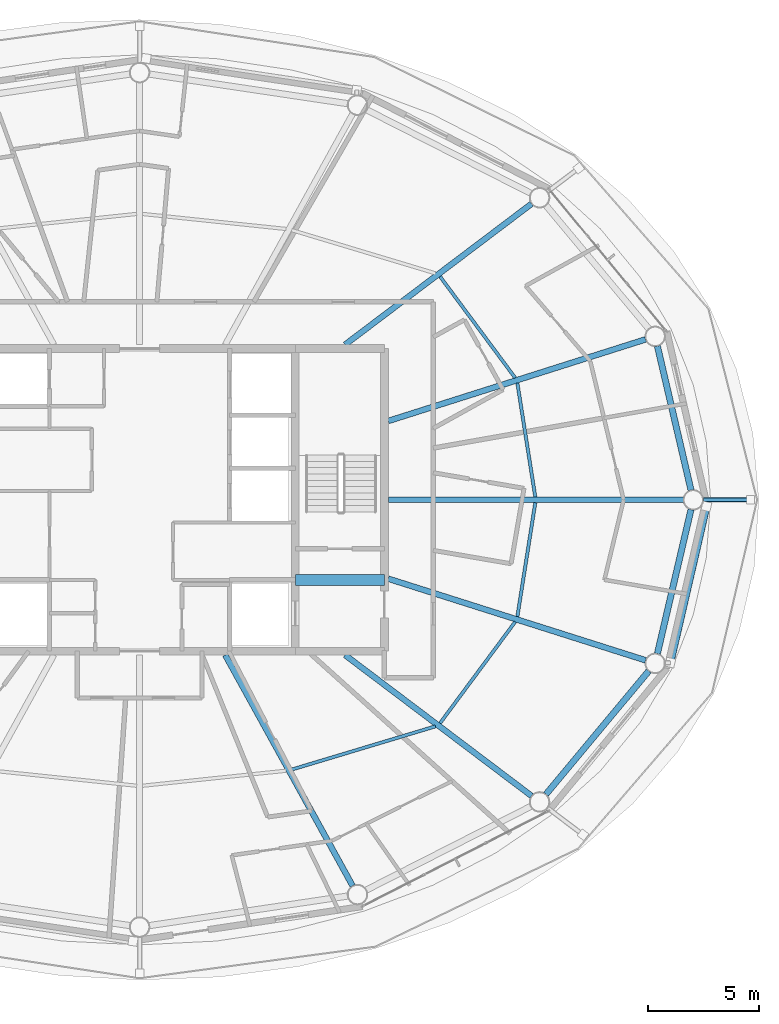
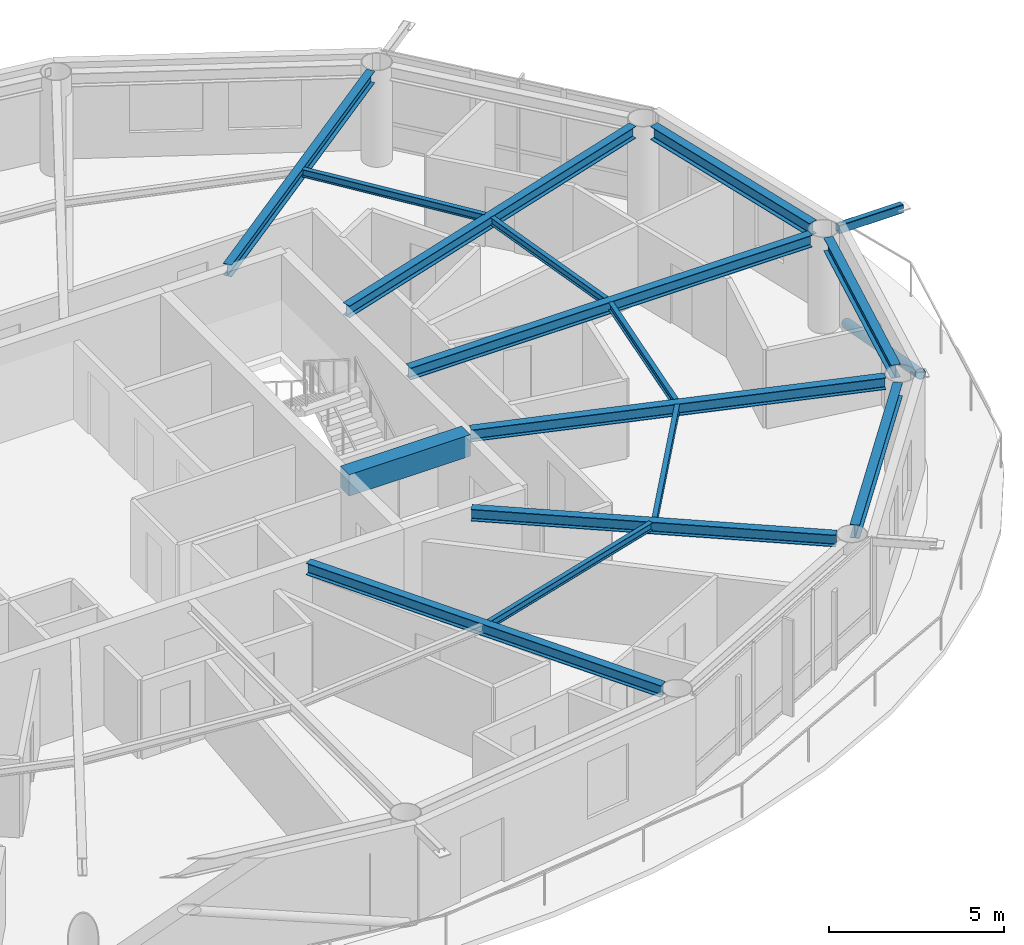
# One storey, part 6 of 22: 15 beams, 2 members.
"""IFC4 building model written with IfcOpenShell, lengths in metres."""

from ifc_helpers import new_model, si_unit, direction, frame, origin, origin_2d, place, context, subcontext, project, spatial, rectangle, hollow_rectangle, hollow_circle, i_section, extrude, material, material_profile, profile_set, type_object, element, save


model = new_model("IFC4")

# Units and contexts
model_context = context("Model", 3, precision=1e-05, world=origin(), true_north=direction((0.0, 1.0)))
body_context = subcontext(model_context, "Body", "Model", "MODEL_VIEW")
ifc_project = project(units=[si_unit("LENGTHUNIT", "METRE"), si_unit("AREAUNIT", "SQUARE_METRE"), si_unit("VOLUMEUNIT", "CUBIC_METRE"), si_unit("PLANEANGLEUNIT", "RADIAN"), si_unit("MASSUNIT", "GRAM", prefix="KILO")], contexts=[model_context])

# Site, building, storey
site_placement = place(None, origin())
site = spatial("IfcSite", under=ifc_project, at=site_placement, CompositionType="ELEMENT")
building_placement = place(site_placement, origin())
building = spatial("IfcBuilding", under=site, at=building_placement, Name="Sarneth Arch Tower", CompositionType="ELEMENT")
storey_placement = place(building_placement, frame((0.0, 0.0, 298.199951171875)))
storey = spatial("IfcBuildingStorey", under=building, at=storey_placement, Name="L77", CompositionType="ELEMENT", Elevation=298.199951171875)

# Beams
ifc_material_1 = material(Name="Steel S355", Category="steel")
ifc_material_profile_1 = material_profile(ifc_material_1, i_section(OverallWidth=0.14794921875, OverallDepth=0.26611328125, WebThickness=0.007568359375, FlangeThickness=0.012939453125, FilletRadius=0.012939453125, at=origin_2d()), Name="W250x44.8")
ifc_profile_set_1 = profile_set([ifc_material_profile_1], Name="Steel S355")
beam_type_1 = type_object("IfcBeamType", Name="BM-JOIST-250", PredefinedType="JOIST", material=ifc_profile_set_1)
beam_1_placement = place(storey_placement, frame((65.783935546875, 42.12841796875, 3.237060546875), z_axis=(-0.155556266572, 0.987827033407, 0.0), x_axis=(-0.987827033407, -0.155556266572, 0.0)))
element("IfcBeam", 1, at=beam_1_placement, inside=storey, type_object=beam_type_1, Name="L77 Secondary floor joist 01", PredefinedType="JOIST", context=body_context, shape_type="SweptSolid", body=[
    extrude(i_section(OverallWidth=0.14794921875, OverallDepth=0.26611328125, WebThickness=0.007568359375, FlangeThickness=0.012939453125, FilletRadius=0.012939453125, at=origin_2d()), origin(), (0.0, 0.0, 1.0), 5.183837890625),
])
beam_2_placement = place(storey_placement, frame((64.880126953125, 47.482177734375, 3.237060546875), z_axis=(-0.595712519616, 0.803197730309, 0.0), x_axis=(-0.803197730309, -0.595712519616, 0.0)))
element("IfcBeam", 2, at=beam_2_placement, inside=storey, type_object=beam_type_1, Name="L77 Secondary floor joist 02", PredefinedType="JOIST", context=body_context, shape_type="SweptSolid", body=[
    extrude(i_section(OverallWidth=0.14794921875, OverallDepth=0.26611328125, WebThickness=0.007568359375, FlangeThickness=0.012939453125, FilletRadius=0.012939453125, at=origin_2d()), origin(), (0.0, 0.0, 1.0), 5.669189453125),
])
beam_3_placement = place(storey_placement, frame((54.836181640625, 29.877685546875, 3.237060546875), z_axis=(0.95760703602, 0.288077705776, 0.0), x_axis=(-0.288077705776, 0.95760703602, 0.0)))
element("IfcBeam", 3, at=beam_3_placement, inside=storey, type_object=beam_type_1, Name="L77 Secondary floor joist 14", PredefinedType="JOIST", context=body_context, shape_type="SweptSolid", body=[
    extrude(i_section(OverallWidth=0.14794921875, OverallDepth=0.26611328125, WebThickness=0.007568359375, FlangeThickness=0.012939453125, FilletRadius=0.012939453125, at=origin_2d()), origin(), (0.0, 0.0, 1.0), 6.7509765625),
])
beam_4_placement = place(storey_placement, frame((61.5029296875, 31.96435546875, 3.237060546875), z_axis=(0.595712519616, 0.803197730309, 0.0), x_axis=(-0.803197730309, 0.595712519616, 0.0)))
element("IfcBeam", 4, at=beam_4_placement, inside=storey, type_object=beam_type_1, Name="L77 Secondary floor joist 15", PredefinedType="JOIST", context=body_context, shape_type="SweptSolid", body=[
    extrude(i_section(OverallWidth=0.14794921875, OverallDepth=0.26611328125, WebThickness=0.007568359375, FlangeThickness=0.012939453125, FilletRadius=0.012939453125, at=origin_2d()), origin(), (0.0, 0.0, 1.0), 5.669189453125),
])
beam_5_placement = place(storey_placement, frame((64.9775390625, 36.750732421875, 3.237060546875), z_axis=(0.155556266572, 0.987827033407, 0.0), x_axis=(-0.987827033407, 0.155556266572, 0.0)))
element("IfcBeam", 5, at=beam_5_placement, inside=storey, type_object=beam_type_1, Name="L77 Secondary floor joist 16", PredefinedType="JOIST", context=body_context, shape_type="SweptSolid", body=[
    extrude(i_section(OverallWidth=0.14794921875, OverallDepth=0.26611328125, WebThickness=0.007568359375, FlangeThickness=0.012939453125, FilletRadius=0.012939453125, at=origin_2d()), origin(), (0.0, 0.0, 1.0), 5.183837890625),
])
ifc_material_2 = material(Name="Concrete C50/60", Category="concrete")
ifc_material_profile_2 = material_profile(ifc_material_2, rectangle(XDim=0.5, YDim=0.75, at=origin_2d()), Name="RC-500x750")
ifc_profile_set_2 = profile_set([ifc_material_profile_2], Name="Concrete C50/60")
beam_type_2 = type_object("IfcBeamType", Name="BM-LINTEL-RC", PredefinedType="LINTEL", material=ifc_profile_set_2)
beam_6_placement = place(storey_placement, frame((55.0, 38.39990234375, 2.9951171875), z_axis=(1.0, 0.0, 0.0), x_axis=(0.0, 1.0, 0.0)))
element("IfcBeam", 6, at=beam_6_placement, inside=storey, type_object=beam_type_2, Name="L77 Core coupling lintel E", PredefinedType="LINTEL", context=body_context, shape_type="SweptSolid", body=[
    extrude(rectangle(XDim=0.5, YDim=0.75, at=origin_2d()), origin(), (0.0, 0.0, 1.0), 4.0),
])
ifc_material_3 = material(Name="Steel S355", Category="steel")
ifc_material_profile_3 = material_profile(ifc_material_3, i_section(OverallWidth=0.260009765625, OverallDepth=0.4150390625, WebThickness=0.010009765625, FlangeThickness=0.016845703125, FilletRadius=0.01611328125, at=origin_2d()), Name="W410x100")
ifc_profile_set_3 = profile_set([ifc_material_profile_3], Name="Steel S355")
beam_type_3 = type_object("IfcBeamType", Name="BM-RAD-410A", PredefinedType="BEAM", material=ifc_profile_set_3)
beam_7_placement = place(storey_placement, frame((59.175048828125, 42.0, 3.16259765625), z_axis=(1.0, 0.0, 0.0), x_axis=(0.0, 1.0, 0.0)))
element("IfcBeam", 7, at=beam_7_placement, inside=storey, type_object=beam_type_3, Name="L77 Radial floor girder 01", PredefinedType="BEAM", context=body_context, shape_type="SweptSolid", body=[
    extrude(i_section(OverallWidth=0.260009765625, OverallDepth=0.4150390625, WebThickness=0.010009765625, FlangeThickness=0.016845703125, FilletRadius=0.01611328125, at=origin_2d()), origin(), (0.0, 0.0, 1.0), 13.258056640625),
])
beam_8_placement = place(storey_placement, frame((59.175048828125, 45.5439453125, 3.16259765625), z_axis=(0.95321762769, 0.302284889237, 0.0), x_axis=(-0.302284889237, 0.95321762769, 0.0)))
element("IfcBeam", 8, at=beam_8_placement, inside=storey, type_object=beam_type_3, Name="L77 Radial floor girder 02", PredefinedType="BEAM", context=body_context, shape_type="SweptSolid", body=[
    extrude(i_section(OverallWidth=0.260009765625, OverallDepth=0.4150390625, WebThickness=0.010009765625, FlangeThickness=0.016845703125, FilletRadius=0.01611328125, at=origin_2d()), origin(), (0.0, 0.0, 1.0), 12.132568359375),
])
beam_9_placement = place(storey_placement, frame((57.23486328125, 48.97509765625, 3.16259765625), z_axis=(0.797981595352, 0.602681817777, 0.0), x_axis=(-0.602681817777, 0.797981595352, 0.0)))
element("IfcBeam", 9, at=beam_9_placement, inside=storey, type_object=beam_type_3, Name="L77 Radial floor girder 03", PredefinedType="BEAM", context=body_context, shape_type="SweptSolid", body=[
    extrude(i_section(OverallWidth=0.260009765625, OverallDepth=0.4150390625, WebThickness=0.010009765625, FlangeThickness=0.016845703125, FilletRadius=0.01611328125, at=origin_2d()), origin(), (0.0, 0.0, 1.0), 10.503173828125),
])
beam_10_placement = place(storey_placement, frame((51.849853515625, 35.02490234375, 3.16259765625), z_axis=(0.483229367873, -0.875493790969, 0.0), x_axis=(0.875493790969, 0.483229367873, 0.0)))
element("IfcBeam", 10, at=beam_10_placement, inside=storey, type_object=beam_type_3, Name="L77 Radial floor girder 14", PredefinedType="BEAM", context=body_context, shape_type="SweptSolid", body=[
    extrude(i_section(OverallWidth=0.260009765625, OverallDepth=0.4150390625, WebThickness=0.010009765625, FlangeThickness=0.016845703125, FilletRadius=0.01611328125, at=origin_2d()), origin(), (0.0, 0.0, 1.0), 11.843994140625),
])
beam_11_placement = place(storey_placement, frame((57.23486328125, 35.02490234375, 3.16259765625), z_axis=(0.797981595352, -0.602681817777, 0.0), x_axis=(0.602681817777, 0.797981595352, 0.0)))
element("IfcBeam", 11, at=beam_11_placement, inside=storey, type_object=beam_type_3, Name="L77 Radial floor girder 15", PredefinedType="BEAM", context=body_context, shape_type="SweptSolid", body=[
    extrude(i_section(OverallWidth=0.260009765625, OverallDepth=0.4150390625, WebThickness=0.010009765625, FlangeThickness=0.016845703125, FilletRadius=0.01611328125, at=origin_2d()), origin(), (0.0, 0.0, 1.0), 10.503173828125),
])
beam_12_placement = place(storey_placement, frame((59.175048828125, 38.4560546875, 3.16259765625), z_axis=(0.95321762769, -0.302284889237, 0.0), x_axis=(0.302284889237, 0.95321762769, 0.0)))
element("IfcBeam", 12, at=beam_12_placement, inside=storey, type_object=beam_type_3, Name="L77 Radial floor girder 16", PredefinedType="BEAM", context=body_context, shape_type="SweptSolid", body=[
    extrude(i_section(OverallWidth=0.260009765625, OverallDepth=0.4150390625, WebThickness=0.010009765625, FlangeThickness=0.016845703125, FilletRadius=0.01611328125, at=origin_2d()), origin(), (0.0, 0.0, 1.0), 12.132568359375),
])
ifc_material_4 = material(Name="Steel S355", Category="steel")
ifc_material_profile_4 = material_profile(ifc_material_4, i_section(OverallWidth=0.280029296875, OverallDepth=0.462890625, WebThickness=0.0107421875, FlangeThickness=0.017333984375, FilletRadius=0.01806640625, at=origin_2d()), Name="W460x113")
ifc_profile_set_4 = profile_set([ifc_material_profile_4], Name="Steel S355")
beam_type_4 = type_object("IfcBeamType", Name="BM-RAD-460A", PredefinedType="BEAM", material=ifc_profile_set_4)
beam_13_placement = place(storey_placement, frame((72.781005859375, 42.438232421875, 3.138427734375), z_axis=(-0.227247037844, 0.973837144389, 0.0), x_axis=(-0.973837144389, -0.227247037844, 0.0)))
element("IfcBeam", 13, at=beam_13_placement, inside=storey, type_object=beam_type_4, Name="L77 Perimeter spandrel beam 01", PredefinedType="BEAM", context=body_context, shape_type="SweptSolid", body=[
    extrude(i_section(OverallWidth=0.280029296875, OverallDepth=0.462890625, WebThickness=0.0107421875, FlangeThickness=0.017333984375, FilletRadius=0.01806640625, at=origin_2d()), origin(), (0.0, 0.0, 1.0), 6.644775390625),
])
beam_14_placement = place(storey_placement, frame((66.263427734375, 28.769287109375, 3.138427734375), z_axis=(0.640390876881, 0.768049168222, 0.0), x_axis=(-0.768049168222, 0.640390876881, 0.0)))
element("IfcBeam", 14, at=beam_14_placement, inside=storey, type_object=beam_type_4, Name="L77 Perimeter spandrel beam 15", PredefinedType="BEAM", context=body_context, shape_type="SweptSolid", body=[
    extrude(i_section(OverallWidth=0.280029296875, OverallDepth=0.462890625, WebThickness=0.0107421875, FlangeThickness=0.017333984375, FilletRadius=0.01806640625, at=origin_2d()), origin(), (0.0, 0.0, 1.0), 7.2099609375),
])
beam_15_placement = place(storey_placement, frame((71.27099609375, 35.0908203125, 3.138427734375), z_axis=(0.227247037844, 0.973837144389, 0.0), x_axis=(-0.973837144389, 0.227247037844, 0.0)))
element("IfcBeam", 15, at=beam_15_placement, inside=storey, type_object=beam_type_4, Name="L77 Perimeter spandrel beam 16", PredefinedType="BEAM", context=body_context, shape_type="SweptSolid", body=[
    extrude(i_section(OverallWidth=0.280029296875, OverallDepth=0.462890625, WebThickness=0.0107421875, FlangeThickness=0.017333984375, FilletRadius=0.01806640625, at=origin_2d()), origin(), (0.0, 0.0, 1.0), 6.644775390625),
])

# Members
ifc_material_5 = material(Name="Steel S355", Category="steel")
ifc_material_profile_5 = material_profile(ifc_material_5, hollow_rectangle(XDim=0.199951171875, YDim=0.300048828125, WallThickness=0.012451171875, InnerFilletRadius=0.018798828125, OuterFilletRadius=0.03125, at=origin_2d()), Name="RHS300x200x12.5")
ifc_profile_set_5 = profile_set([ifc_material_profile_5], Name="Steel S355")
member_type_1 = type_object("IfcMemberType", Name="MEM-CANT-STRUT", PredefinedType="STRUT", material=ifc_profile_set_5)
member_1_placement = place(storey_placement, frame((73.333251953125, 42.0, 3.2099609375), z_axis=(1.0, 0.0, 0.0), x_axis=(0.0, 1.0, 0.0)))
element("IfcMember", 16, at=member_1_placement, inside=storey, type_object=member_type_1, Name="L77 Balcony cantilever bracket 01", PredefinedType="STRUT", context=body_context, shape_type="SweptSolid", body=[
    extrude(hollow_rectangle(XDim=0.199951171875, YDim=0.300048828125, WallThickness=0.012451171875, InnerFilletRadius=0.018798828125, OuterFilletRadius=0.03125, at=origin_2d()), origin(), (0.0, 0.0, 1.0), 2.1220703125),
])
ifc_material_6 = material(Name="Steel S355", Category="steel")
ifc_material_profile_6 = material_profile(ifc_material_6, hollow_circle(Radius=0.162109375, WallThickness=0.012451171875, at=origin_2d()), Name="CHS324x12.5")
ifc_profile_set_6 = profile_set([ifc_material_profile_6], Name="Steel S355")
member_type_2 = type_object("IfcMemberType", Name="MEM-DIAG-BR3", PredefinedType="BRACE", material=ifc_profile_set_6)
member_2_placement = place(storey_placement, frame((73.4765625, 41.707763671875, 0.02001953125), z_axis=(-0.207343373373, -0.896265487877, 0.392067469651), x_axis=(0.974268900284, -0.225388797281, 0.0)))
element("IfcMember", 17, at=member_2_placement, inside=storey, type_object=member_type_2, Name="L77 Perimeter frame diagonal 16", PredefinedType="BRACE", context=body_context, shape_type="SweptSolid", body=[
    extrude(hollow_circle(Radius=0.162109375, WallThickness=0.012451171875, at=origin_2d()), origin(), (0.0, 0.0, 1.0), 7.836181640625),
])

save(model, "model.ifc")
